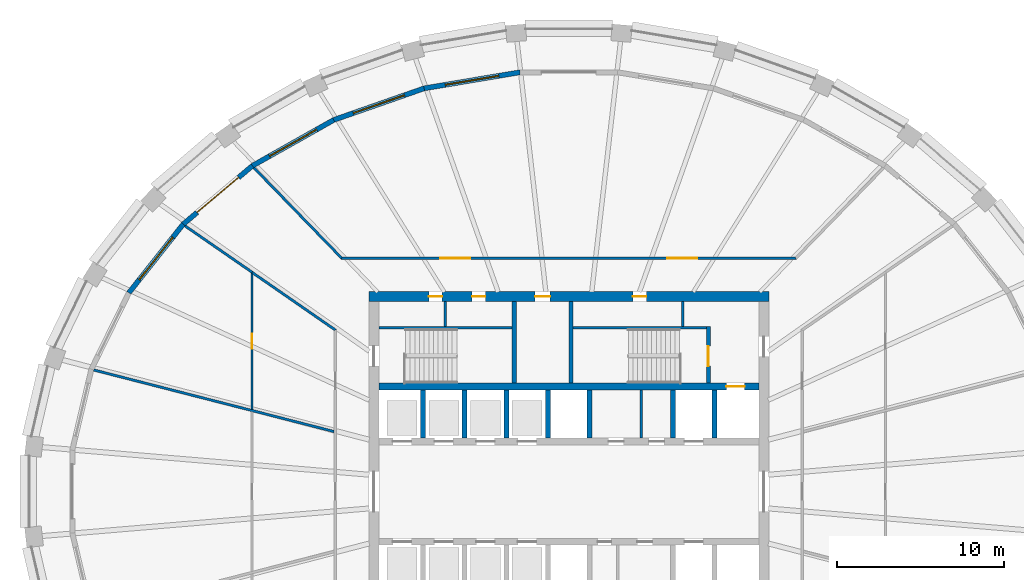
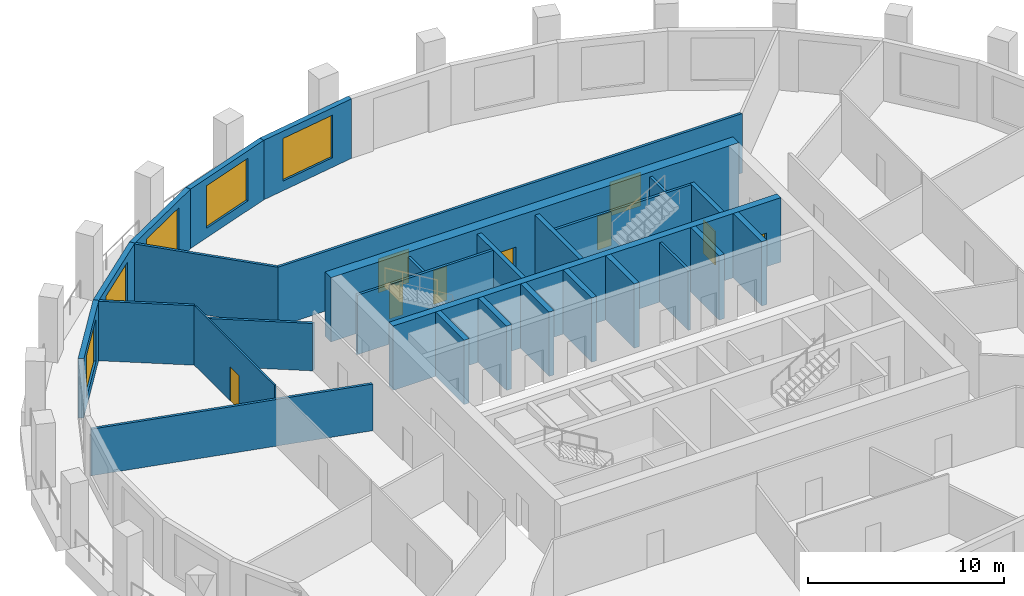
# One storey, part 6 of 10: 28 walls, 10 doors, 4 windows, 14 openings.
"""IFC4 building model written with IfcOpenShell, lengths in metres."""

from ifc_helpers import new_model, si_unit, direction, frame, frame_2d, origin, place, context, subcontext, project, spatial, polyline, rectangle, outline, extrude, material, layer, layer_set, type_object, element, fill, save


model = new_model("IFC4")

# Units and contexts
model_context = context("Model", 3, precision=1e-05, world=origin(), true_north=direction((0.0, 1.0)))
body_context = subcontext(model_context, "Body", "Model", "MODEL_VIEW")
ifc_project = project(units=[si_unit("LENGTHUNIT", "METRE"), si_unit("AREAUNIT", "SQUARE_METRE"), si_unit("VOLUMEUNIT", "CUBIC_METRE"), si_unit("PLANEANGLEUNIT", "RADIAN"), si_unit("MASSUNIT", "GRAM", prefix="KILO")], contexts=[model_context])

# Site, building, storey
site_placement = place(None, origin())
site = spatial("IfcSite", under=ifc_project, at=site_placement, CompositionType="ELEMENT")
building_placement = place(site_placement, origin())
building = spatial("IfcBuilding", under=site, at=building_placement, Name="Halqa Exchange Tower", CompositionType="ELEMENT")
storey_placement = place(building_placement, frame((0.0, 0.0, 198.89990234375)))
storey = spatial("IfcBuildingStorey", under=building, at=storey_placement, Name="L45", CompositionType="ELEMENT", Elevation=198.89990234375)

# Walls
ifc_material_1 = material(Name="Fire-rated gypsum board")
ifc_layer_1 = layer(ifc_material_1, 0.14990234375)
ifc_layer_set_1 = layer_set([ifc_layer_1], Name="Fire-rated gypsum board")
wall_type_1 = type_object("IfcWallType", Name="Fire partition EI 60 150", PredefinedType="PARTITIONING", material=ifc_layer_set_1)
wall_1_placement = place(storey_placement, frame((-28.494384765625, 7.294189453125, 0.0), z_axis=(0.0, 0.0, 1.0), x_axis=(0.96870063855, -0.248231893342, 0.0)))
element("IfcWall", 1, at=wall_1_placement, inside=storey, type_object=wall_type_1, Name="L45-PWL-002", PredefinedType="PARTITIONING", context=body_context, shape_type="SweptSolid", body=[
    extrude(outline(polyline([(0.0, -0.074951171875), (1.97314453125, -0.074951171875), (3.946533203125, -0.074951171875), (5.919677734375, -0.074951171875), (7.892822265625, -0.074951171875), (9.8662109375, -0.074951171875), (9.87158203125, -0.073486328125), (9.8720703125, -0.074951171875), (11.54931640625, -0.074951171875), (13.226806640625, -0.074951171875), (14.904296875, -0.074951171875), (14.904296875, -0.07421875), (14.865966796875, 0.074951171875), (13.156005859375, 0.074951171875), (11.446044921875, 0.074951171875), (9.736083984375, 0.074951171875), (9.730712890625, 0.073486328125), (9.730224609375, 0.074951171875), (7.787109375, 0.074951171875), (5.84375, 0.074951171875), (3.900634765625, 0.074951171875), (1.957275390625, 0.074951171875), (0.013916015625, 0.074951171875), (0.0, 0.0078125), (0.0, -0.074951171875)])), origin(), (0.0, 0.0, 1.0), 2.900146484375),
])
wall_2_placement = place(storey_placement, frame((-23.024169921875, 15.940185546875, 0.0), z_axis=(0.0, 0.0, 1.0), x_axis=(0.822739240619, -0.568418984505, 0.0)))
element("IfcWall", 2, at=wall_2_placement, inside=storey, type_object=wall_type_1, Name="L45-PWL-004", PredefinedType="PARTITIONING", context=body_context, shape_type="SweptSolid", body=[
    extrude(outline(polyline([(4.896728515625, 0.074951171875), (3.272705078125, 0.074951171875), (1.648681640625, 0.074951171875), (0.024658203125, 0.074951171875), (0.004638671875, 0.001708984375), (0.0, -0.0693359375), (0.0, -0.074951171875), (1.63232421875, -0.074951171875), (3.264404296875, -0.074951171875), (4.896728515625, -0.074951171875), (4.896728515625, 0.074951171875)])), origin(), (0.0, 0.0, 1.0), 3.7001953125),
])
wall_3_placement = place(storey_placement, frame((-19.0, 13.14990234375, 0.0), z_axis=(0.0, 0.0, 1.0), x_axis=(0.822301327334, -0.569052306088, 0.0)))
element("IfcWall", 3, at=wall_3_placement, inside=storey, type_object=wall_type_1, Name="L45-PWL-008", PredefinedType="PARTITIONING", context=body_context, shape_type="SweptSolid", body=[
    extrude(outline(polyline([(0.0, -0.074951171875), (1.51025390625, -0.074951171875), (3.0205078125, -0.074951171875), (4.53076171875, -0.074951171875), (6.041015625, -0.074951171875), (6.11962890625, 0.074951171875), (4.589599609375, 0.074951171875), (3.059814453125, 0.074951171875), (1.52978515625, 0.074951171875), (0.0, 0.074951171875), (0.0, -0.074951171875)])), origin(), (0.0, 0.0, 1.0), 2.947021484375),
])
wall_4_placement = place(storey_placement, frame((-18.89306640625, 19.427001953125, 0.0), z_axis=(0.0, 0.0, 1.0), x_axis=(0.696864554069, -0.717202756048, 0.0)))
element("IfcWall", 4, at=wall_4_placement, inside=storey, type_object=wall_type_1, Name="L45-PWL-009", PredefinedType="PARTITIONING", context=body_context, shape_type="SweptSolid", body=[
    extrude(outline(polyline([(0.0, -0.074951171875), (1.899658203125, -0.074951171875), (3.79931640625, -0.074951171875), (5.698974609375, -0.074951171875), (7.5986328125, -0.074951171875), (7.56689453125, 0.0), (7.53515625, 0.074951171875), (5.65771484375, 0.074951171875), (3.7802734375, 0.074951171875), (1.90283203125, 0.074951171875), (0.025390625, 0.074951171875), (0.0048828125, -0.002685546875), (0.0, -0.072998046875), (0.0, -0.074951171875)])), origin(), (0.0, 0.0, 1.0), 3.7001953125),
])

# Wall, openings, doors
wall_5_placement = place(storey_placement, frame((-13.651611328125, 14.0, 0.0), z_axis=(0.0, 0.0, 1.0), x_axis=(1.0, 0.0, 0.0)))
wall_5 = element("IfcWall", 5, at=wall_5_placement, inside=storey, type_object=wall_type_1, Name="L45-PWL-012", PredefinedType="PARTITIONING", context=body_context, shape_type="SweptSolid", body=[
    extrude(outline(polyline([(27.30322265625, -0.074951171875), (27.30322265625, -0.07470703125), (27.239990234375, 0.074951171875), (25.298828125, 0.074951171875), (23.357666015625, 0.074951171875), (21.416259765625, 0.074951171875), (19.47509765625, 0.074951171875), (17.533935546875, 0.074951171875), (15.5927734375, 0.074951171875), (13.651611328125, 0.074951171875), (11.71044921875, 0.074951171875), (9.769287109375, 0.074951171875), (7.828125, 0.074951171875), (5.886962890625, 0.074951171875), (3.945556640625, 0.074951171875), (2.00439453125, 0.074951171875), (0.063232421875, 0.074951171875), (0.0, -0.07470703125), (0.0, -0.074951171875), (1.9501953125, -0.074951171875), (3.900390625, -0.074951171875), (5.8505859375, -0.074951171875), (7.801025390625, -0.074951171875), (9.751220703125, -0.074951171875), (11.701416015625, -0.074951171875), (13.651611328125, -0.074951171875), (15.601806640625, -0.074951171875), (17.552001953125, -0.074951171875), (19.502197265625, -0.074951171875), (21.45263671875, -0.074951171875), (23.40283203125, -0.074951171875), (25.35302734375, -0.074951171875), (27.30322265625, -0.074951171875)])), origin(), (0.0, 0.0, 1.0), 3.7001953125),
])
opening_1_placement = place(wall_5_placement, frame((19.561767578125, 0.0, 0.0)))
opening_1 = element("IfcOpeningElement", 6, at=opening_1_placement, cuts=wall_5, Name="Opening 13-01", PredefinedType="OPENING", context=body_context, shape_type="SweptSolid", body=[
    extrude(rectangle(XDim=1.800048828125, YDim=2.10009765625, at=frame_2d((0.89990234375, 1.050048828125))), frame((0.0, 0.0869140625, 0.0), z_axis=(0.0, -1.0, 0.0), x_axis=(1.0, 0.0, 0.0)), (0.0, 0.0, 1.0), 0.173828125),
])
opening_2_placement = place(wall_5_placement, frame((5.941650390625, 0.0, 0.0)))
opening_2 = element("IfcOpeningElement", 7, at=opening_2_placement, cuts=wall_5, Name="Opening 13-02", PredefinedType="OPENING", context=body_context, shape_type="SweptSolid", body=[
    extrude(rectangle(XDim=1.800048828125, YDim=2.10009765625, at=frame_2d((0.89990234375, 1.050048828125))), frame((0.0, 0.0869140625, 0.0), z_axis=(0.0, -1.0, 0.0), x_axis=(1.0, 0.0, 0.0)), (0.0, 0.0, 1.0), 0.173828125),
])
ifc_material_2 = material(Name="Steel fire door leaf", Category="steel")
door_type_1 = type_object("IfcDoorType", Name="Fire door FD30S double 1800 x 2100", OperationType="DOUBLE_DOOR_SINGLE_SWING", PredefinedType="DOOR", material=ifc_material_2)
door_1_placement = place(opening_1_placement, origin())
door_1 = element("IfcDoor", 8, at=door_1_placement, inside=storey, type_object=door_type_1, Name="L45-IDR-001", OperationType="DOUBLE_DOOR_SINGLE_SWING", OverallHeight=2.10009765625, OverallWidth=1.800048828125, PredefinedType="DOOR", context=body_context, shape_type="SweptSolid", body=[
    extrude(rectangle(XDim=1.800048828125, YDim=2.10009765625, at=frame_2d((0.89990234375, 1.050048828125))), frame((0.0, 0.02490234375, 0.0), z_axis=(0.0, -1.0, 0.0), x_axis=(1.0, 0.0, 0.0)), (0.0, 0.0, 1.0), 0.050048828125),
])
fill(opening_1, door_1)
door_2_placement = place(opening_2_placement, origin())
door_2 = element("IfcDoor", 9, at=door_2_placement, inside=storey, type_object=door_type_1, Name="L45-IDR-002", OperationType="DOUBLE_DOOR_SINGLE_SWING", OverallHeight=2.10009765625, OverallWidth=1.800048828125, PredefinedType="DOOR", context=body_context, shape_type="SweptSolid", body=[
    extrude(rectangle(XDim=1.800048828125, YDim=2.10009765625, at=frame_2d((0.89990234375, 1.050048828125))), frame((0.0, 0.02490234375, 0.0), z_axis=(0.0, -1.0, 0.0), x_axis=(1.0, 0.0, 0.0)), (0.0, 0.0, 1.0), 0.050048828125),
])
fill(opening_2, door_2)

# Wall, opening, door
ifc_material_3 = material(Name="Gypsum board")
ifc_layer_2 = layer(ifc_material_3, 0.10009765625)
ifc_layer_set_2 = layer_set([ifc_layer_2], Name="Gypsum board")
wall_type_2 = type_object("IfcWallType", Name="Partition 100 gypsum", PredefinedType="PARTITIONING", material=ifc_layer_set_2)
wall_6_placement = place(storey_placement, frame((-19.0, 4.926025390625, 0.0), z_axis=(0.0, 0.0, 1.0), x_axis=(0.0, 1.0, 0.0)))
wall_6 = element("IfcWall", 10, at=wall_6_placement, inside=storey, type_object=wall_type_2, Name="L45-PWL-007", PredefinedType="PARTITIONING", context=body_context, shape_type="SweptSolid", body=[
    extrude(outline(polyline([(0.0, -0.050048828125), (1.61962890625, -0.050048828125), (3.2392578125, -0.050048828125), (4.85888671875, -0.050048828125), (6.478515625, -0.050048828125), (8.09814453125, -0.050048828125), (8.162353515625, 0.042724609375), (8.169189453125, 0.0380859375), (8.177001953125, 0.049560546875), (8.177001953125, 0.050048828125), (6.546630859375, 0.050048828125), (4.91650390625, 0.050048828125), (3.2861328125, 0.050048828125), (1.65576171875, 0.050048828125), (0.025390625, 0.050048828125), (0.0, -0.04931640625), (0.0, -0.050048828125)])), origin(), (0.0, 0.0, 1.0), 3.7001953125),
])
opening_3_placement = place(wall_6_placement, frame((3.62890625, 0.0, 0.0)))
opening_3 = element("IfcOpeningElement", 11, at=opening_3_placement, cuts=wall_6, Name="Opening 13-12", PredefinedType="OPENING", context=body_context, shape_type="SweptSolid", body=[
    extrude(rectangle(XDim=0.89990234375, YDim=2.10009765625, at=frame_2d((0.449951171875, 1.050048828125))), frame((0.0, 0.06201171875, 0.0), z_axis=(0.0, -1.0, 0.0), x_axis=(1.0, 0.0, 0.0)), (0.0, 0.0, 1.0), 0.1240234375),
])
ifc_material_4 = material(Name="Timber door leaf", Category="wood")
door_type_2 = type_object("IfcDoorType", Name="Door 900 x 2100", OperationType="SINGLE_SWING_LEFT", PredefinedType="DOOR", material=ifc_material_4)
door_3_placement = place(opening_3_placement, frame((0.89990234375, 0.0, 0.0), z_axis=(0.0, 0.0, 1.0), x_axis=(-1.0, 0.0, 0.0)))
door_3 = element("IfcDoor", 12, at=door_3_placement, inside=storey, type_object=door_type_2, Name="L45-IDR-012", OperationType="SINGLE_SWING_RIGHT", OverallHeight=2.10009765625, OverallWidth=0.89990234375, PredefinedType="DOOR", context=body_context, shape_type="SweptSolid", body=[
    extrude(rectangle(XDim=0.89990234375, YDim=2.10009765625, at=frame_2d((0.449951171875, 1.050048828125))), frame((0.0, 0.02490234375, 0.0), z_axis=(0.0, -1.0, 0.0), x_axis=(1.0, 0.0, 0.0)), (0.0, 0.0, 1.0), 0.050048828125),
])
fill(opening_3, door_3)

# Walls
ifc_layer_3 = layer(ifc_material_3, 0.14990234375)
ifc_layer_set_3 = layer_set([ifc_layer_3], Name="Gypsum board")
wall_type_3 = type_object("IfcWallType", Name="Penthouse riser wall 150 gypsum", PredefinedType="PARTITIONING", material=ifc_layer_set_3)
for number, where, z_axis, x_axis, name in (
    (13, (-7.39990234375, 9.89990234375, 0.0), (0.0, 0.0, 1.0), (0.0, 1.0, 0.0), "Partition W7.400 N"),
    (14, (6.824951171875, 9.89990234375, 0.0), (0.0, 0.0, 1.0), (0.0, 1.0, 0.0), "Firefighting lobby west wall N"),
):
    element("IfcWall", number, at=place(storey_placement, frame(where, z_axis=z_axis, x_axis=x_axis)), inside=storey, type_object=wall_type_3, Name=name, PredefinedType="PARTITIONING", context=body_context, shape_type="SweptSolid", body=[
        extrude(rectangle(XDim=1.5, YDim=0.14990234375, at=frame_2d((0.75, 0.0))), origin(), (0.0, 0.0, 1.0), 3.7001953125),
    ])
wall_7_placement = place(storey_placement, frame((4.35009765625, 3.199951171875, 0.0), z_axis=(0.0, 0.0, 1.0), x_axis=(0.0, 1.0, 0.0)))
element("IfcWall", 15, at=wall_7_placement, inside=storey, type_object=wall_type_3, Name="Freed bay partition NE4.350", PredefinedType="PARTITIONING", context=body_context, shape_type="SweptSolid", body=[
    extrude(rectangle(XDim=2.900146484375, YDim=0.14990234375, at=frame_2d((1.4501953125, 0.0))), origin(), (0.0, 0.0, 1.0), 3.7001953125),
])
ifc_material_5 = material(Name="Concrete C60/75", Category="concrete")
ifc_layer_4 = layer(ifc_material_5, 0.300048828125)
ifc_layer_set_4 = layer_set([ifc_layer_4], Name="Concrete C60/75")
wall_type_4 = type_object("IfcWallType", Name="RC core wall 300", PredefinedType="SHEAR", material=ifc_layer_set_4)
for number, where, z_axis, x_axis, name in (
    (16, (-8.75, 3.199951171875, 0.0), (0.0, 0.0, 1.0), (0.0, 1.0, 0.0), "Shaft divider N1"),
    (17, (-6.25, 3.199951171875, 0.0), (0.0, 0.0, 1.0), (0.0, 1.0, 0.0), "Shaft divider N2"),
    (18, (-3.75, 3.199951171875, 0.0), (0.0, 0.0, 1.0), (0.0, 1.0, 0.0), "Shaft divider N3"),
    (19, (-1.25, 3.199951171875, 0.0), (0.0, 0.0, 1.0), (0.0, 1.0, 0.0), "Shaft divider N4"),
    (20, (1.25, 3.199951171875, 0.0), (0.0, 0.0, 1.0), (0.0, 1.0, 0.0), "Shaft divider N5"),
    (21, (6.25, 3.199951171875, 0.0), (0.0, 0.0, 1.0), (0.0, 1.0, 0.0), "Shaft divider N7"),
    (22, (8.75, 3.199951171875, 0.0), (0.0, 0.0, 1.0), (0.0, 1.0, 0.0), "Shaft divider N8"),
):
    element("IfcWall", number, at=place(storey_placement, frame(where, z_axis=z_axis, x_axis=x_axis)), inside=storey, type_object=wall_type_4, Name=name, PredefinedType="SHEAR", context=body_context, shape_type="SweptSolid", body=[
        extrude(rectangle(XDim=2.900146484375, YDim=0.300048828125, at=frame_2d((1.4501953125, 0.0))), origin(), (0.0, 0.0, 1.0), 4.0),
    ])

# Wall, opening, door
ifc_material_6 = material(Name="Concrete C70/85", Category="concrete")
ifc_layer_5 = layer(ifc_material_6, 0.39990234375)
ifc_layer_set_5 = layer_set([ifc_layer_5], Name="Concrete C70/85")
wall_type_5 = type_object("IfcWallType", Name="RC core wall 400 C70/85", PredefinedType="SHEAR", material=ifc_layer_set_5)
wall_8_placement = place(storey_placement, frame((-11.39990234375, 6.300048828125, 0.0), z_axis=(0.0, 0.0, 1.0), x_axis=(1.0, 0.0, 0.0)))
wall_8 = element("IfcWall", 23, at=wall_8_placement, inside=storey, type_object=wall_type_5, Name="Lift row back wall N", PredefinedType="SHEAR", context=body_context, shape_type="SweptSolid", body=[
    extrude(rectangle(XDim=22.7998046875, YDim=0.39990234375, at=frame_2d((11.39990234375, 0.0))), origin(), (0.0, 0.0, 1.0), 4.0),
])
opening_4_placement = place(wall_8_placement, frame((20.85009765625, 0.0, 0.0)))
opening_4 = element("IfcOpeningElement", 24, at=opening_4_placement, cuts=wall_8, Name="Opening LD-FF1-T13", PredefinedType="OPENING", context=body_context, shape_type="SweptSolid", body=[
    extrude(rectangle(XDim=1.10009765625, YDim=2.10009765625, at=frame_2d((0.550048828125, 1.050048828125))), frame((0.0, 0.2119140625, 0.0), z_axis=(0.0, -1.0, 0.0), x_axis=(1.0, 0.0, 0.0)), (0.0, 0.0, 1.0), 0.423828125),
])
ifc_material_7 = material(Name="Stainless steel", Category="steel")
door_type_3 = type_object("IfcDoorType", Name="Lift landing door 1100 x 2100", OperationType="SLIDING_TO_LEFT", PredefinedType="DOOR", material=ifc_material_7)
door_4_placement = place(opening_4_placement, origin())
door_4 = element("IfcDoor", 25, at=door_4_placement, inside=storey, type_object=door_type_3, Name="Lift landing door FF1", OperationType="SLIDING_TO_LEFT", OverallHeight=2.10009765625, OverallWidth=1.10009765625, PredefinedType="DOOR", context=body_context, shape_type="SweptSolid", body=[
    extrude(rectangle(XDim=1.10009765625, YDim=2.10009765625, at=frame_2d((0.550048828125, 1.050048828125))), frame((0.0, 0.02490234375, 0.0), z_axis=(0.0, -1.0, 0.0), x_axis=(1.0, 0.0, 0.0)), (0.0, 0.0, 1.0), 0.050048828125),
])
fill(opening_4, door_4)

# Wall, openings, doors
ifc_layer_6 = layer(ifc_material_6, 0.60009765625)
ifc_layer_set_6 = layer_set([ifc_layer_6], Name="Concrete C70/85")
wall_type_6 = type_object("IfcWallType", Name="RC core wall 600 C70/85", PredefinedType="SHEAR", material=ifc_layer_set_6)
wall_9_placement = place(storey_placement, frame((-12.0, 11.699951171875, 0.0), z_axis=(0.0, 0.0, 1.0), x_axis=(1.0, 0.0, 0.0)))
wall_9 = element("IfcWall", 26, at=wall_9_placement, inside=storey, type_object=wall_type_6, Name="Core wall north", PredefinedType="SHEAR", context=body_context, shape_type="SweptSolid", body=[
    extrude(rectangle(XDim=24.0, YDim=0.60009765625, at=frame_2d((12.0, 0.0))), origin(), (0.0, 0.0, 1.0), 4.0),
])
opening_5_placement = place(wall_9_placement, frame((9.97509765625, 0.0, 0.0)))
opening_5 = element("IfcOpeningElement", 27, at=opening_5_placement, cuts=wall_9, Name="Opening T13-C21", PredefinedType="OPENING", context=body_context, shape_type="SweptSolid", body=[
    extrude(rectangle(XDim=0.89990234375, YDim=2.10009765625, at=frame_2d((0.449951171875, 1.050048828125))), frame((0.0, 0.31201171875, 0.0), z_axis=(0.0, -1.0, 0.0), x_axis=(1.0, 0.0, 0.0)), (0.0, 0.0, 1.0), 0.6240234375),
])
opening_6_placement = place(wall_9_placement, frame((3.60009765625, 0.0, 0.0)))
opening_6 = element("IfcOpeningElement", 28, at=opening_6_placement, cuts=wall_9, Name="Opening T13-C22", PredefinedType="OPENING", context=body_context, shape_type="SweptSolid", body=[
    extrude(rectangle(XDim=0.800048828125, YDim=2.10009765625, at=frame_2d((0.39990234375, 1.050048828125))), frame((0.0, 0.31201171875, 0.0), z_axis=(0.0, -1.0, 0.0), x_axis=(1.0, 0.0, 0.0)), (0.0, 0.0, 1.0), 0.6240234375),
])
opening_7_placement = place(wall_9_placement, frame((6.199951171875, 0.0, 0.0)))
opening_7 = element("IfcOpeningElement", 29, at=opening_7_placement, cuts=wall_9, Name="Opening T13-C23", PredefinedType="OPENING", context=body_context, shape_type="SweptSolid", body=[
    extrude(rectangle(XDim=0.800048828125, YDim=2.10009765625, at=frame_2d((0.39990234375, 1.050048828125))), frame((0.0, 0.31201171875, 0.0), z_axis=(0.0, -1.0, 0.0), x_axis=(1.0, 0.0, 0.0)), (0.0, 0.0, 1.0), 0.6240234375),
])
opening_8_placement = place(wall_9_placement, frame((15.85009765625, 0.0, 0.0)))
opening_8 = element("IfcOpeningElement", 30, at=opening_8_placement, cuts=wall_9, Name="Opening T13-C24", PredefinedType="OPENING", context=body_context, shape_type="SweptSolid", body=[
    extrude(rectangle(XDim=0.800048828125, YDim=2.10009765625, at=frame_2d((0.39990234375, 1.050048828125))), frame((0.0, 0.31201171875, 0.0), z_axis=(0.0, -1.0, 0.0), x_axis=(1.0, 0.0, 0.0)), (0.0, 0.0, 1.0), 0.6240234375),
])
ifc_material_8 = material(Name="Timber fire door leaf", Category="wood")
door_type_4 = type_object("IfcDoorType", Name="Core room door FD30 900 x 2100", OperationType="SINGLE_SWING_LEFT", PredefinedType="DOOR", material=ifc_material_8)
door_5_placement = place(opening_5_placement, frame((0.89990234375, 0.0, 0.0), z_axis=(0.0, 0.0, 1.0), x_axis=(-1.0, 0.0, 0.0)))
door_5 = element("IfcDoor", 31, at=door_5_placement, inside=storey, type_object=door_type_4, Name="Core room door", OperationType="SINGLE_SWING_RIGHT", OverallHeight=2.10009765625, OverallWidth=0.89990234375, PredefinedType="DOOR", context=body_context, shape_type="SweptSolid", body=[
    extrude(rectangle(XDim=0.89990234375, YDim=2.10009765625, at=frame_2d((0.449951171875, 1.050048828125))), frame((0.0, 0.02490234375, 0.0), z_axis=(0.0, -1.0, 0.0), x_axis=(1.0, 0.0, 0.0)), (0.0, 0.0, 1.0), 0.050048828125),
])
fill(opening_5, door_5)
door_type_5 = type_object("IfcDoorType", Name="Riser door FD60 800 x 2100", OperationType="SINGLE_SWING_LEFT", PredefinedType="DOOR", material=ifc_material_2)
door_6_placement = place(opening_6_placement, frame((0.800048828125, 0.0, 0.0), z_axis=(0.0, 0.0, 1.0), x_axis=(-1.0, 0.0, 0.0)))
door_6 = element("IfcDoor", 32, at=door_6_placement, inside=storey, type_object=door_type_5, Name="Core room door", OperationType="SINGLE_SWING_RIGHT", OverallHeight=2.10009765625, OverallWidth=0.800048828125, PredefinedType="DOOR", context=body_context, shape_type="SweptSolid", body=[
    extrude(rectangle(XDim=0.800048828125, YDim=2.10009765625, at=frame_2d((0.39990234375, 1.050048828125))), frame((0.0, 0.02490234375, 0.0), z_axis=(0.0, -1.0, 0.0), x_axis=(1.0, 0.0, 0.0)), (0.0, 0.0, 1.0), 0.050048828125),
])
fill(opening_6, door_6)
door_7_placement = place(opening_7_placement, frame((0.800048828125, 0.0, 0.0), z_axis=(0.0, 0.0, 1.0), x_axis=(-1.0, 0.0, 0.0)))
door_7 = element("IfcDoor", 33, at=door_7_placement, inside=storey, type_object=door_type_5, Name="Core room door", OperationType="SINGLE_SWING_RIGHT", OverallHeight=2.10009765625, OverallWidth=0.800048828125, PredefinedType="DOOR", context=body_context, shape_type="SweptSolid", body=[
    extrude(rectangle(XDim=0.800048828125, YDim=2.10009765625, at=frame_2d((0.39990234375, 1.050048828125))), frame((0.0, 0.02490234375, 0.0), z_axis=(0.0, -1.0, 0.0), x_axis=(1.0, 0.0, 0.0)), (0.0, 0.0, 1.0), 0.050048828125),
])
fill(opening_7, door_7)
door_8_placement = place(opening_8_placement, frame((0.800048828125, 0.0, 0.0), z_axis=(0.0, 0.0, 1.0), x_axis=(-1.0, 0.0, 0.0)))
door_8 = element("IfcDoor", 34, at=door_8_placement, inside=storey, type_object=door_type_5, Name="Core room door", OperationType="SINGLE_SWING_RIGHT", OverallHeight=2.10009765625, OverallWidth=0.800048828125, PredefinedType="DOOR", context=body_context, shape_type="SweptSolid", body=[
    extrude(rectangle(XDim=0.800048828125, YDim=2.10009765625, at=frame_2d((0.39990234375, 1.050048828125))), frame((0.0, 0.02490234375, 0.0), z_axis=(0.0, -1.0, 0.0), x_axis=(1.0, 0.0, 0.0)), (0.0, 0.0, 1.0), 0.050048828125),
])
fill(opening_8, door_8)

# Walls
ifc_material_9 = material(Name="Concrete C30/37", Category="concrete")
ifc_layer_7 = layer(ifc_material_9, 0.14990234375)
ifc_layer_set_7 = layer_set([ifc_layer_7], Name="Concrete C30/37")
wall_type_7 = type_object("IfcWallType", Name="RC stair wall 150 C30/37", PredefinedType="SHEAR", material=ifc_layer_set_7)
for number, where, z_axis, x_axis, name in (
    (35, (-11.39990234375, 9.824951171875, 0.0), (0.0, 0.0, 1.0), (1.0, 0.0, 0.0), "Stair ST1 north wall N"),
    (36, (0.25, 9.824951171875, 0.0), (0.0, 0.0, 1.0), (1.0, 0.0, 0.0), "Stair ST2 north wall N"),
):
    element("IfcWall", number, at=place(storey_placement, frame(where, z_axis=z_axis, x_axis=x_axis)), inside=storey, type_object=wall_type_7, Name=name, PredefinedType="SHEAR", context=body_context, shape_type="SweptSolid", body=[
        extrude(rectangle(XDim=8.0, YDim=0.14990234375, at=frame_2d((4.0, 0.0))), origin(), (0.0, 0.0, 1.0), 3.7001953125),
    ])
ifc_layer_8 = layer(ifc_material_9, 0.25)
ifc_layer_set_8 = layer_set([ifc_layer_8], Name="Concrete C30/37")
wall_type_8 = type_object("IfcWallType", Name="RC stair wall 250 C30/37", PredefinedType="SHEAR", material=ifc_layer_set_8)
for number, where, z_axis, x_axis, name in (
    (37, (-3.27490234375, 6.5, 0.0), (0.0, 0.0, 1.0), (0.0, 1.0, 0.0), "Stair ST1 east wall N"),
    (38, (0.125, 6.5, 0.0), (0.0, 0.0, 1.0), (0.0, 1.0, 0.0), "Stair ST2 west wall N"),
):
    element("IfcWall", number, at=place(storey_placement, frame(where, z_axis=z_axis, x_axis=x_axis)), inside=storey, type_object=wall_type_8, Name=name, PredefinedType="SHEAR", context=body_context, shape_type="SweptSolid", body=[
        extrude(rectangle(XDim=4.89990234375, YDim=0.25, at=frame_2d((2.449951171875, 0.0))), origin(), (0.0, 0.0, 1.0), 3.7001953125),
    ])

# Wall, opening, door
wall_10_placement = place(storey_placement, frame((8.375, 6.5, 0.0), z_axis=(0.0, 0.0, 1.0), x_axis=(0.0, 1.0, 0.0)))
wall_10 = element("IfcWall", 39, at=wall_10_placement, inside=storey, type_object=wall_type_8, Name="Stair ST2 east wall N", PredefinedType="SHEAR", context=body_context, shape_type="SweptSolid", body=[
    extrude(rectangle(XDim=3.39990234375, YDim=0.25, at=frame_2d((1.699951171875, 0.0))), origin(), (0.0, 0.0, 1.0), 3.7001953125),
])
opening_9_placement = place(wall_10_placement, frame((1.02490234375, 0.0, 0.0)))
opening_9 = element("IfcOpeningElement", 40, at=opening_9_placement, cuts=wall_10, Name="Opening T13-C16", PredefinedType="OPENING", context=body_context, shape_type="SweptSolid", body=[
    extrude(rectangle(XDim=1.199951171875, YDim=2.10009765625, at=frame_2d((0.60009765625, 1.050048828125))), frame((0.0, 0.136962890625, 0.0), z_axis=(0.0, -1.0, 0.0), x_axis=(1.0, 0.0, 0.0)), (0.0, 0.0, 1.0), 0.27392578125),
])
door_type_6 = type_object("IfcDoorType", Name="Stair door FD90 1200 x 2100", OperationType="SINGLE_SWING_LEFT", PredefinedType="DOOR", material=ifc_material_2)
door_9_placement = place(opening_9_placement, origin())
door_9 = element("IfcDoor", 41, at=door_9_placement, inside=storey, type_object=door_type_6, Name="Stair door ST2", OperationType="SINGLE_SWING_LEFT", OverallHeight=2.10009765625, OverallWidth=1.199951171875, PredefinedType="DOOR", context=body_context, shape_type="SweptSolid", body=[
    extrude(rectangle(XDim=1.199951171875, YDim=2.10009765625, at=frame_2d((0.60009765625, 1.050048828125))), frame((0.0, 0.02490234375, 0.0), z_axis=(0.0, -1.0, 0.0), x_axis=(1.0, 0.0, 0.0)), (0.0, 0.0, 1.0), 0.050048828125),
])
fill(opening_9, door_9)

# Wall, opening, window
ifc_material_10 = material(Name="Limestone cladding", Category="masonry")
ifc_layer_9 = layer(ifc_material_10, 0.0400390625)
ifc_material_11 = material(Name="Ventilated cavity")
ifc_layer_10 = layer(ifc_material_11, 0.030029296875, ventilated=True)
ifc_material_12 = material(Name="Mineral wool insulation")
ifc_layer_11 = layer(ifc_material_12, 0.10009765625)
ifc_layer_12 = layer(ifc_material_9, 0.10009765625)
ifc_material_13 = material(Name="Internal plaster")
ifc_layer_13 = layer(ifc_material_13, 0.030029296875)
ifc_layer_set_9 = layer_set([ifc_layer_9, ifc_layer_10, ifc_layer_11, ifc_layer_12, ifc_layer_13], Name="Stone-faced insulated wall 300")
wall_type_9 = type_object("IfcWallType", Name="Stone-faced insulated wall 300", PredefinedType="STANDARD", material=ifc_layer_set_9)
wall_11_placement = place(storey_placement, frame((-2.931396484375, 25.15380859375, 0.0), z_axis=(0.0, 0.0, 1.0), x_axis=(-0.986207709048, -0.165512400181, 0.0)))
wall_11 = element("IfcWall", 42, at=wall_11_placement, inside=storey, type_object=wall_type_9, Name="Glass-line wall 9", PredefinedType="STANDARD", context=body_context, shape_type="SweptSolid", body=[
    extrude(outline(polyline([(-0.012451171875, -0.14990234375), (5.843505859375, -0.14990234375), (5.818115234375, 0.14990234375), (0.012451171875, 0.14990234375), (-0.012451171875, -0.14990234375)])), origin(), (0.0, 0.0, 1.0), 3.7001953125),
])
opening_10_placement = place(wall_11_placement, frame((1.29052734375, 0.0, 0.60009765625)))
opening_10 = element("IfcOpeningElement", 43, at=opening_10_placement, cuts=wall_11, Name="Opening W-F3-09", PredefinedType="OPENING", context=body_context, shape_type="SweptSolid", body=[
    extrude(rectangle(XDim=3.25, YDim=2.64990234375, at=frame_2d((1.625, 1.324951171875))), frame((0.0, 0.162109375, 0.0), z_axis=(0.0, -1.0, 0.0), x_axis=(1.0, 0.0, 0.0)), (0.0, 0.0, 1.0), 0.323974609375),
])
ifc_material_14 = material(Name="Clear low-emissivity glass in aluminium frame", Category="aluminium")
window_type = type_object("IfcWindowType", Name="Fixed clear glazed window 3250 x 2650", PartitioningType="TRIPLE_PANEL_VERTICAL", PredefinedType="WINDOW", material=ifc_material_14)
window_1_placement = place(opening_10_placement, origin())
window_1 = element("IfcWindow", 44, at=window_1_placement, inside=storey, type_object=window_type, Name="Window 3", OverallHeight=2.64990234375, OverallWidth=3.25, PartitioningType="TRIPLE_PANEL_VERTICAL", PredefinedType="WINDOW", context=body_context, shape_type="SweptSolid", body=[
    extrude(rectangle(XDim=3.25, YDim=2.64990234375, at=frame_2d((1.625, 1.324951171875))), frame((0.0, 0.030029296875, 0.0), z_axis=(0.0, -1.0, 0.0), x_axis=(1.0, 0.0, 0.0)), (0.0, 0.0, 1.0), 0.06005859375),
])
fill(opening_10, window_1)

wall_12_placement = place(storey_placement, frame((-8.681884765625, 24.188720703125, 0.0), z_axis=(0.0, 0.0, 1.0), x_axis=(-0.944020060936, -0.329888048511, 0.0)))
wall_12 = element("IfcWall", 45, at=wall_12_placement, inside=storey, type_object=wall_type_9, Name="Glass-line wall 10", PredefinedType="STANDARD", context=body_context, shape_type="SweptSolid", body=[
    extrude(outline(polyline([(-0.0126953125, -0.14990234375), (5.752685546875, -0.14990234375), (5.725830078125, 0.14990234375), (0.0126953125, 0.14990234375), (-0.0126953125, -0.14990234375)])), origin(), (0.0, 0.0, 1.0), 3.7001953125),
])
opening_11_placement = place(wall_12_placement, frame((1.24462890625, 0.0, 0.60009765625)))
opening_11 = element("IfcOpeningElement", 46, at=opening_11_placement, cuts=wall_12, Name="Opening W-F3-10", PredefinedType="OPENING", context=body_context, shape_type="SweptSolid", body=[
    extrude(rectangle(XDim=3.25, YDim=2.64990234375, at=frame_2d((1.625, 1.324951171875))), frame((0.0, 0.162109375, 0.0), z_axis=(0.0, -1.0, 0.0), x_axis=(1.0, 0.0, 0.0)), (0.0, 0.0, 1.0), 0.323974609375),
])
window_2_placement = place(opening_11_placement, origin())
window_2 = element("IfcWindow", 47, at=window_2_placement, inside=storey, type_object=window_type, Name="Window 3", OverallHeight=2.64990234375, OverallWidth=3.25, PartitioningType="TRIPLE_PANEL_VERTICAL", PredefinedType="WINDOW", context=body_context, shape_type="SweptSolid", body=[
    extrude(rectangle(XDim=3.25, YDim=2.64990234375, at=frame_2d((1.625, 1.324951171875))), frame((0.0, 0.030029296875, 0.0), z_axis=(0.0, -1.0, 0.0), x_axis=(1.0, 0.0, 0.0)), (0.0, 0.0, 1.0), 0.06005859375),
])
fill(opening_11, window_2)

wall_13_placement = place(storey_placement, frame((-14.099853515625, 22.29541015625, 0.0), z_axis=(0.0, 0.0, 1.0), x_axis=(-0.871083701819, -0.491134588912, 0.0)))
wall_13 = element("IfcWall", 48, at=wall_13_placement, inside=storey, type_object=wall_type_9, Name="Glass-line wall 11", PredefinedType="STANDARD", context=body_context, shape_type="SweptSolid", body=[
    extrude(outline(polyline([(-0.013427734375, -0.14990234375), (5.613525390625, -0.14990234375), (5.585205078125, 0.14990234375), (0.013427734375, 0.14990234375), (-0.013427734375, -0.14990234375)])), origin(), (0.0, 0.0, 1.0), 3.7001953125),
])
opening_12_placement = place(wall_13_placement, frame((1.1748046875, 0.0, 0.60009765625)))
opening_12 = element("IfcOpeningElement", 49, at=opening_12_placement, cuts=wall_13, Name="Opening W-F3-11", PredefinedType="OPENING", context=body_context, shape_type="SweptSolid", body=[
    extrude(rectangle(XDim=3.25, YDim=2.64990234375, at=frame_2d((1.625, 1.324951171875))), frame((0.0, 0.162109375, 0.0), z_axis=(0.0, -1.0, 0.0), x_axis=(1.0, 0.0, 0.0)), (0.0, 0.0, 1.0), 0.323974609375),
])
window_3_placement = place(opening_12_placement, origin())
window_3 = element("IfcWindow", 50, at=window_3_placement, inside=storey, type_object=window_type, Name="Window 3", OverallHeight=2.64990234375, OverallWidth=3.25, PartitioningType="TRIPLE_PANEL_VERTICAL", PredefinedType="WINDOW", context=body_context, shape_type="SweptSolid", body=[
    extrude(rectangle(XDim=3.25, YDim=2.64990234375, at=frame_2d((1.625, 1.324951171875))), frame((0.0, 0.030029296875, 0.0), z_axis=(0.0, -1.0, 0.0), x_axis=(1.0, 0.0, 0.0)), (0.0, 0.0, 1.0), 0.06005859375),
])
fill(opening_12, window_3)

# Wall, opening, door
wall_14_placement = place(storey_placement, frame((-18.977294921875, 19.54541015625, 0.0), z_axis=(0.0, 0.0, 1.0), x_axis=(-0.764330261608, -0.644824977176, 0.0)))
wall_14 = element("IfcWall", 51, at=wall_14_placement, inside=storey, type_object=wall_type_9, Name="Glass-line wall 12", PredefinedType="STANDARD", context=body_context, shape_type="SweptSolid", body=[
    extrude(outline(polyline([(-0.01416015625, -0.14990234375), (5.4453125, -0.14990234375), (5.4150390625, 0.14990234375), (0.01416015625, 0.14990234375), (-0.01416015625, -0.14990234375)])), origin(), (0.0, 0.0, 1.0), 3.7001953125),
])
opening_13_placement = place(wall_14_placement, frame((1.090087890625, 0.0, 0.0)))
opening_13 = element("IfcOpeningElement", 52, at=opening_13_placement, cuts=wall_14, Name="Opening LG-F3-03", PredefinedType="OPENING", context=body_context, shape_type="SweptSolid", body=[
    extrude(rectangle(XDim=3.25, YDim=3.25, at=frame_2d((1.625, 1.625))), frame((0.0, 0.162109375, 0.0), z_axis=(0.0, -1.0, 0.0), x_axis=(1.0, 0.0, 0.0)), (0.0, 0.0, 1.0), 0.323974609375),
])
door_type_7 = type_object("IfcDoorType", Name="Glazed sliding loggia door 3250 x 3250", OperationType="DOUBLE_DOOR_SLIDING", PredefinedType="DOOR", material=ifc_material_14)
door_10_placement = place(opening_13_placement, origin())
door_10 = element("IfcDoor", 53, at=door_10_placement, inside=storey, type_object=door_type_7, Name="Loggia door 3", OperationType="DOUBLE_DOOR_SLIDING", OverallHeight=3.25, OverallWidth=3.25, PredefinedType="DOOR", context=body_context, shape_type="SweptSolid", body=[
    extrude(rectangle(XDim=3.25, YDim=3.25, at=frame_2d((1.625, 1.625))), frame((0.0, 0.02490234375, 0.0), z_axis=(0.0, -1.0, 0.0), x_axis=(1.0, 0.0, 0.0)), (0.0, 0.0, 1.0), 0.050048828125),
])
fill(opening_13, door_10)

# Wall, opening, window
wall_15_placement = place(storey_placement, frame((-23.127685546875, 16.0439453125, 0.0), z_axis=(0.0, 0.0, 1.0), x_axis=(-0.620829074232, -0.783945955145, 0.0)))
wall_15 = element("IfcWall", 54, at=wall_15_placement, inside=storey, type_object=wall_type_9, Name="Glass-line wall 13", PredefinedType="STANDARD", context=body_context, shape_type="SweptSolid", body=[
    extrude(outline(polyline([(-0.01513671875, -0.14990234375), (5.27099609375, -0.14990234375), (5.23876953125, 0.14990234375), (0.01513671875, 0.14990234375), (-0.01513671875, -0.14990234375)])), origin(), (0.0, 0.0, 1.0), 3.7001953125),
])
opening_14_placement = place(wall_15_placement, frame((1.002685546875, 0.0, 0.60009765625)))
opening_14 = element("IfcOpeningElement", 55, at=opening_14_placement, cuts=wall_15, Name="Opening W-F3-13", PredefinedType="OPENING", context=body_context, shape_type="SweptSolid", body=[
    extrude(rectangle(XDim=3.25, YDim=2.64990234375, at=frame_2d((1.625, 1.324951171875))), frame((0.0, 0.162109375, 0.0), z_axis=(0.0, -1.0, 0.0), x_axis=(1.0, 0.0, 0.0)), (0.0, 0.0, 1.0), 0.323974609375),
])
window_4_placement = place(opening_14_placement, origin())
window_4 = element("IfcWindow", 56, at=window_4_placement, inside=storey, type_object=window_type, Name="Window 3", OverallHeight=2.64990234375, OverallWidth=3.25, PartitioningType="TRIPLE_PANEL_VERTICAL", PredefinedType="WINDOW", context=body_context, shape_type="SweptSolid", body=[
    extrude(rectangle(XDim=3.25, YDim=2.64990234375, at=frame_2d((1.625, 1.324951171875))), frame((0.0, 0.030029296875, 0.0), z_axis=(0.0, -1.0, 0.0), x_axis=(1.0, 0.0, 0.0)), (0.0, 0.0, 1.0), 0.06005859375),
])
fill(opening_14, window_4)

save(model, "model.ifc")
